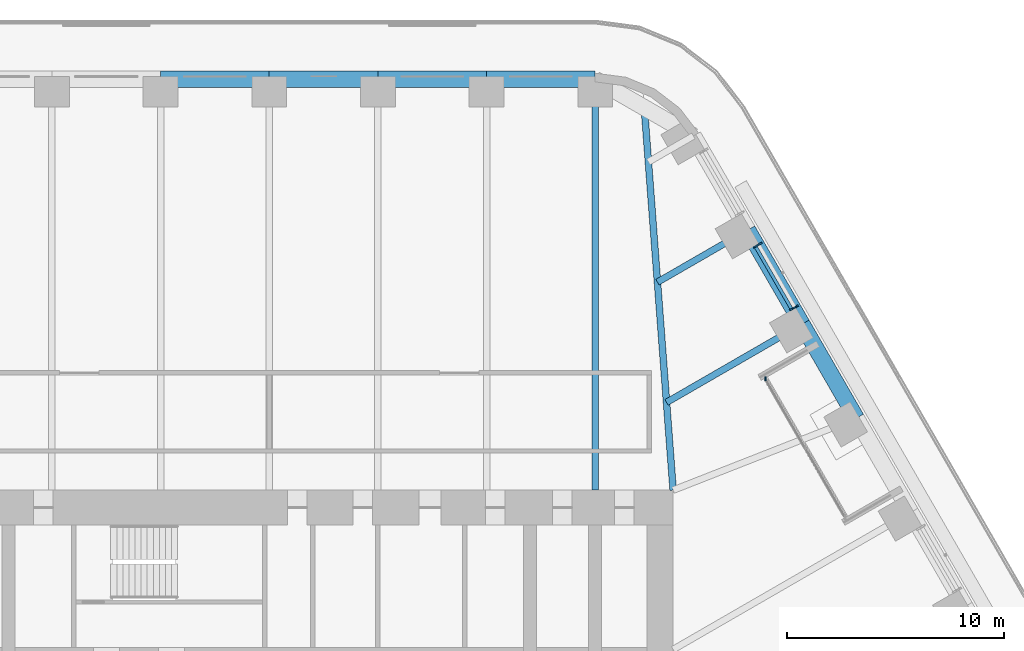
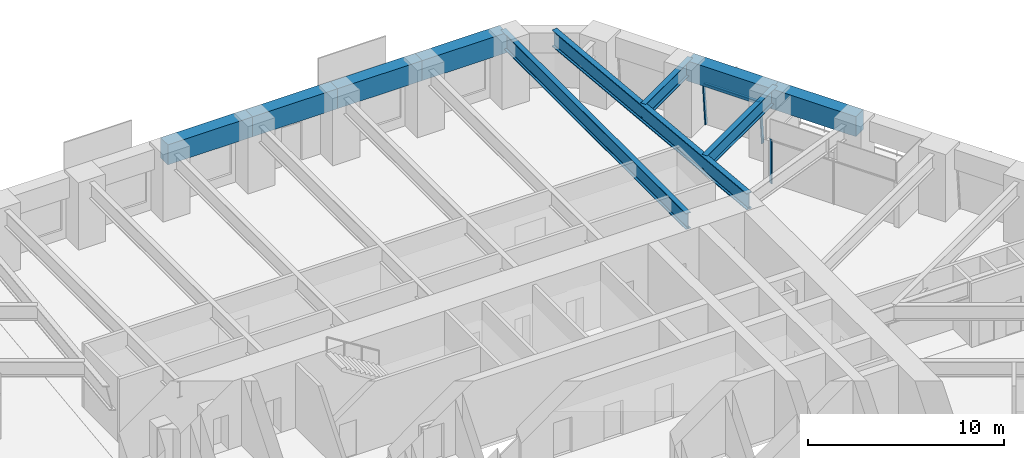
# One storey, part 12 of 24: 10 beams, 4 members, 2 elements without a shape of their own.
"""IFC4 building model written with IfcOpenShell, lengths in metres."""

from ifc_helpers import new_model, si_unit, direction, frame, origin, origin_2d, place, context, subcontext, project, spatial, rectangle, i_section, extrude, material, material_profile, profile_set, type_object, element, aggregate, save


model = new_model("IFC4")

# Units and contexts
model_context = context("Model", 3, precision=1e-05, world=origin(), true_north=direction((0.0, 1.0)))
body_context = subcontext(model_context, "Body", "Model", "MODEL_VIEW")
ifc_project = project(units=[si_unit("LENGTHUNIT", "METRE"), si_unit("AREAUNIT", "SQUARE_METRE"), si_unit("VOLUMEUNIT", "CUBIC_METRE"), si_unit("PLANEANGLEUNIT", "RADIAN"), si_unit("MASSUNIT", "GRAM", prefix="KILO")], contexts=[model_context])

# Site, building, storey
site_placement = place(None, origin())
site = spatial("IfcSite", under=ifc_project, at=site_placement, CompositionType="ELEMENT")
building_placement = place(site_placement, origin())
building = spatial("IfcBuilding", under=site, at=building_placement, Name="Tarfa Lantern Tower", CompositionType="ELEMENT")
storey_placement = place(building_placement, frame((0.0, 0.0, 169.89990234375)))
storey = spatial("IfcBuildingStorey", under=building, at=storey_placement, Name="L38", CompositionType="ELEMENT", Elevation=169.89990234375)

# Curtain wall, members
ifc_material_1 = material(Name="Aluminium framed curtain wall", Category="aluminium")
curtain_wall_type_1 = type_object("IfcCurtainWallType", Name="CW2 CANTED GLAZING MID ZONE 2750", PredefinedType="USERDEFINED", material=ifc_material_1)
curtain_wall_1_placement = place(storey_placement, origin())
curtain_wall_1 = element("IfcCurtainWall", 1, at=curtain_wall_1_placement, inside=storey, type_object=curtain_wall_type_1, Name="CW2 NEB L38", ObjectType="CURTAIN WALL", PredefinedType="USERDEFINED")
ifc_material_2 = material(Name="Aluminium mullion", Category="aluminium")
ifc_material_profile_1 = material_profile(ifc_material_2, rectangle(XDim=0.06494140625, YDim=0.199951171875, at=origin_2d()), Name="AL MULLION 65x200")
ifc_profile_set_1 = profile_set([ifc_material_profile_1], Name="Aluminium mullion")
member_type_1 = type_object("IfcMemberType", Name="CWM1 MULLION 65x200", PredefinedType="MULLION", material=ifc_profile_set_1)
member_1_placement = place(storey_placement, frame((24.275146484375, 20.75439453125, 0.0), z_axis=(-0.078422950161, -0.045267813396, 0.995891894715), x_axis=(0.499919672301, -0.866071776036, 0.0)))
member_1 = element("IfcMember", 2, at=member_1_placement, type_object=member_type_1, Name="CW2 mullion 1", PredefinedType="MULLION", context=body_context, shape_type="SweptSolid", body=[
    extrude(rectangle(XDim=0.06494140625, YDim=0.199951171875, at=origin_2d()), origin(), (0.0, 0.0, 1.0), 2.76123046875),
])
member_2_placement = place(storey_placement, frame((22.605712890625, 23.645751953125, 0.0), z_axis=(-0.078422950161, -0.045267813396, 0.995891894715), x_axis=(0.499919672301, -0.866071776036, 0.0)))
member_2 = element("IfcMember", 3, at=member_2_placement, type_object=member_type_1, Name="CW2 mullion 2", PredefinedType="MULLION", context=body_context, shape_type="SweptSolid", body=[
    extrude(rectangle(XDim=0.06494140625, YDim=0.199951171875, at=origin_2d()), origin(), (0.0, 0.0, 1.0), 2.76123046875),
])

# Curtain wall, member
curtain_wall_type_2 = type_object("IfcCurtainWallType", Name="CW10 LOGGIA GLAZING 2750", PredefinedType="USERDEFINED", material=ifc_material_1)
curtain_wall_2_placement = place(storey_placement, origin())
curtain_wall_2 = element("IfcCurtainWall", 4, at=curtain_wall_2_placement, inside=storey, type_object=curtain_wall_type_2, Name="CW10 NEL L38", ObjectType="CURTAIN WALL", PredefinedType="USERDEFINED")
member_3_placement = place(storey_placement, frame((22.84619140625, 17.429443359375, 0.0), z_axis=(0.0, 0.0, 1.0), x_axis=(1.0, 0.0, 0.0)))
member_3 = element("IfcMember", 5, at=member_3_placement, type_object=member_type_1, Name="CW10 mullion 3", PredefinedType="MULLION", context=body_context, shape_type="SweptSolid", body=[
    extrude(rectangle(XDim=0.06494140625, YDim=0.199951171875, at=origin_2d()), origin(), (0.0, 0.0, 1.0), 2.75),
])
aggregate(curtain_wall_2, [member_3])

# Member
ifc_material_3 = material(Name="Aluminium transom", Category="aluminium")
ifc_material_profile_2 = material_profile(ifc_material_3, rectangle(XDim=0.14990234375, YDim=0.06494140625, at=origin_2d()), Name="AL TRANSOM 150x65")
ifc_profile_set_2 = profile_set([ifc_material_profile_2], Name="Aluminium transom")
member_type_2 = type_object("IfcMemberType", Name="CWT1 TRANSOM 150x65", PredefinedType="USERDEFINED", material=ifc_profile_set_2)
member_4_placement = place(storey_placement, frame((24.044921875, 20.658935546875, 2.717529296875), z_axis=(-0.500012937857, 0.86601793398, 0.0), x_axis=(-0.86601793398, -0.500012937857, 0.0)))
member_4 = element("IfcMember", 6, at=member_4_placement, type_object=member_type_2, Name="CW2 transom 1.2", ObjectType="TRANSOM", PredefinedType="USERDEFINED", context=body_context, shape_type="SweptSolid", body=[
    extrude(rectangle(XDim=0.14990234375, YDim=0.06494140625, at=origin_2d()), origin(), (0.0, 0.0, 1.0), 3.27392578125),
])

aggregate(curtain_wall_1, [member_1, member_2, member_4])

# Beams
ifc_material_4 = material(Name="Concrete C80/95", Category="concrete")
ifc_material_profile_3 = material_profile(ifc_material_4, rectangle(XDim=0.75, YDim=1.25, at=origin_2d()), Name="RC 750x1250")
ifc_profile_set_3 = profile_set([ifc_material_profile_3], Name="Concrete C80/95")
beam_type_1 = type_object("IfcBeamType", Name="EB2 RC 750x1250", PredefinedType="SPANDREL", material=ifc_profile_set_3)
for number, where, z_axis, x_axis, name in (
    (7, (27.037353515625, 15.610107421875, 3.375), (-0.500022324899, 0.866012514114, 0.0), (-0.866012514114, -0.500022324899, 0.0), "Edge beam NE3"),
    (8, (24.535400390625, 19.943359375, 3.375), (-0.49998573051, 0.866033642122, 0.0), (-0.866033642122, -0.49998573051, 0.0), "Edge beam NE4"),
    (9, (15.010986328125, 31.219970703125, 3.375), (-1.0, 0.0, 0.0), (0.0, -1.0, 0.0), "Edge beam N0"),
    (10, (10.00732421875, 31.219970703125, 3.375), (-1.0, 0.0, 0.0), (0.0, -1.0, 0.0), "Edge beam N1"),
    (11, (5.003662109375, 31.219970703125, 3.375), (-1.0, 0.0, 0.0), (0.0, -1.0, 0.0), "Edge beam N2"),
    (12, (0.0, 31.219970703125, 3.375), (-1.0, 0.0, 0.0), (0.0, -1.0, 0.0), "Edge beam N3"),
):
    element("IfcBeam", number, at=place(storey_placement, frame(where, z_axis=z_axis, x_axis=x_axis)), inside=storey, type_object=beam_type_1, Name=name, PredefinedType="SPANDREL", context=body_context, shape_type="SweptSolid", body=[
        extrude(rectangle(XDim=0.75, YDim=1.25, at=origin_2d()), origin(), (0.0, 0.0, 1.0), 5.003662109375),
    ])
ifc_material_5 = material(Name="Steel S460M", Category="steel")
ifc_material_profile_4 = material_profile(ifc_material_5, i_section(OverallWidth=0.302001953125, OverallDepth=1.008056640625, WebThickness=0.02099609375, FlangeThickness=0.0400390625, FilletRadius=0.030029296875, at=origin_2d()), Name="UB1016x305x349")
ifc_profile_set_4 = profile_set([ifc_material_profile_4], Name="Steel S460M")
beam_type_2 = type_object("IfcBeamType", Name="UB1016x305x349", PredefinedType="BEAM", material=ifc_profile_set_4)
beam_1_placement = place(storey_placement, frame((15.010986328125, 31.219970703125, 3.49609375), z_axis=(0.0, -1.0, 0.0), x_axis=(1.0, 0.0, 0.0)))
element("IfcBeam", 13, at=beam_1_placement, inside=storey, type_object=beam_type_2, Name="Floor beam N0", PredefinedType="BEAM", context=body_context, shape_type="SweptSolid", body=[
    extrude(i_section(OverallWidth=0.302001953125, OverallDepth=1.008056640625, WebThickness=0.02099609375, FlangeThickness=0.0400390625, FilletRadius=0.030029296875, at=origin_2d()), origin(), (0.0, 0.0, 1.0), 18.919921875),
])
ifc_material_profile_5 = material_profile(ifc_material_5, i_section(OverallWidth=0.30859375, OverallDepth=1.036376953125, WebThickness=0.030029296875, FlangeThickness=0.05419921875, FilletRadius=0.030029296875, at=origin_2d()), Name="UB1016x305x487")
ifc_profile_set_5 = profile_set([ifc_material_profile_5], Name="Steel S460M")
beam_type_3 = type_object("IfcBeamType", Name="UB1016x305x487", PredefinedType="BEAM", material=ifc_profile_set_5)
beam_2_placement = place(storey_placement, frame((18.60009765625, 12.300048828125, 3.48193359375), z_axis=(-0.075211516041, 0.99716760269, 0.0), x_axis=(-0.99716760269, -0.075211516041, 0.0)))
element("IfcBeam", 14, at=beam_2_placement, inside=storey, type_object=beam_type_3, Name="Hip girder NE", PredefinedType="BEAM", context=body_context, shape_type="SweptSolid", body=[
    extrude(i_section(OverallWidth=0.30859375, OverallDepth=1.036376953125, WebThickness=0.030029296875, FlangeThickness=0.05419921875, FilletRadius=0.030029296875, at=origin_2d()), origin(), (0.0, 0.0, 1.0), 17.6650390625),
])
ifc_material_profile_6 = material_profile(ifc_material_5, i_section(OverallWidth=0.305419921875, OverallDepth=0.91845703125, WebThickness=0.017333984375, FlangeThickness=0.02783203125, FilletRadius=0.01904296875, at=origin_2d()), Name="UB914x305x253")
ifc_profile_set_6 = profile_set([ifc_material_profile_6], Name="Steel S460M")
beam_type_4 = type_object("IfcBeamType", Name="UB914x305x253", PredefinedType="BEAM", material=ifc_profile_set_6)
beam_3_placement = place(storey_placement, frame((24.535400390625, 19.943359375, 3.541015625), z_axis=(-0.86602647304, -0.499998147991, 0.0), x_axis=(0.499998147991, -0.86602647304, 0.0)))
element("IfcBeam", 15, at=beam_3_placement, inside=storey, type_object=beam_type_4, Name="Floor beam NE4", PredefinedType="BEAM", context=body_context, shape_type="SweptSolid", body=[
    extrude(i_section(OverallWidth=0.305419921875, OverallDepth=0.91845703125, WebThickness=0.017333984375, FlangeThickness=0.02783203125, FilletRadius=0.01904296875, at=origin_2d()), origin(), (0.0, 0.0, 1.0), 7.20556640625),
])
beam_4_placement = place(storey_placement, frame((22.03369140625, 24.276611328125, 3.541015625), z_axis=(-0.866030550462, -0.499991085587, 0.0), x_axis=(0.499991085587, -0.866030550462, 0.0)))
element("IfcBeam", 16, at=beam_4_placement, inside=storey, type_object=beam_type_4, Name="Floor beam NE5", PredefinedType="BEAM", context=body_context, shape_type="SweptSolid", body=[
    extrude(i_section(OverallWidth=0.305419921875, OverallDepth=0.91845703125, WebThickness=0.017333984375, FlangeThickness=0.02783203125, FilletRadius=0.01904296875, at=origin_2d()), origin(), (0.0, 0.0, 1.0), 4.798828125),
])

save(model, "model.ifc")
